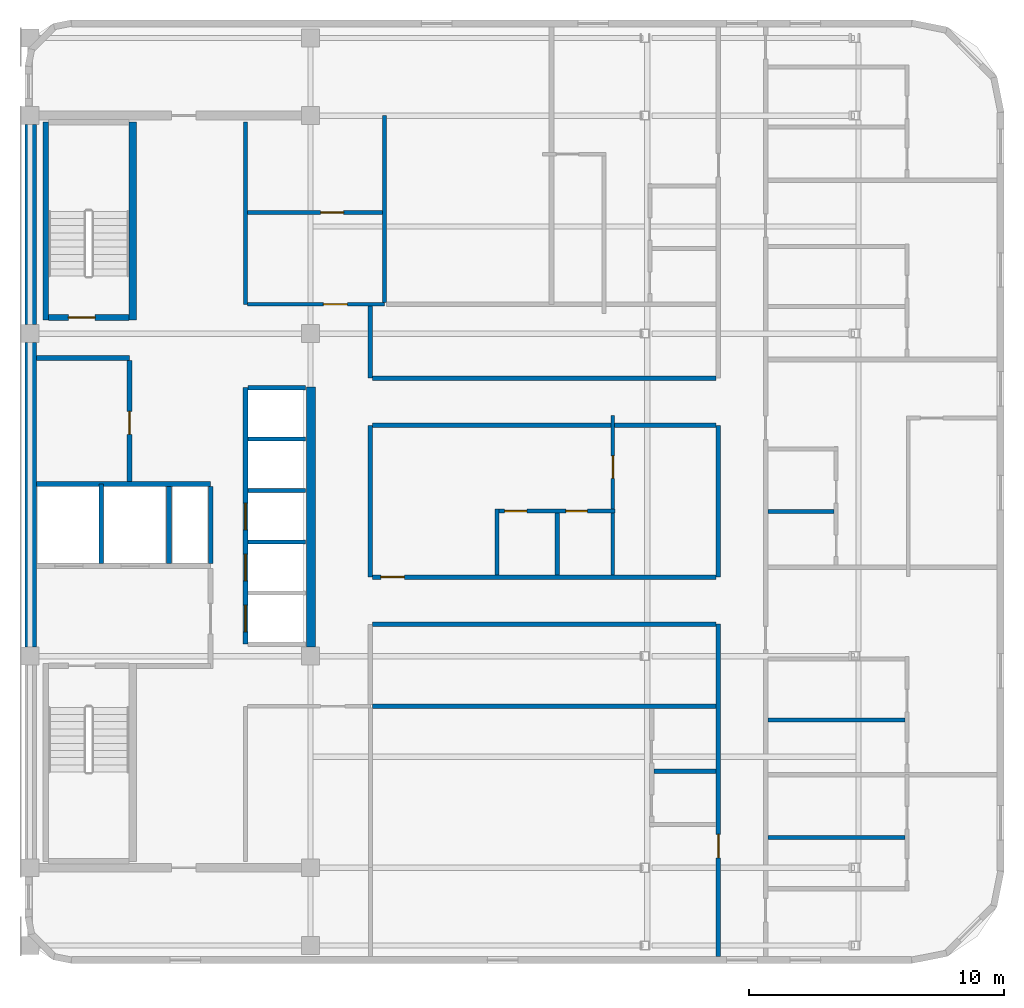
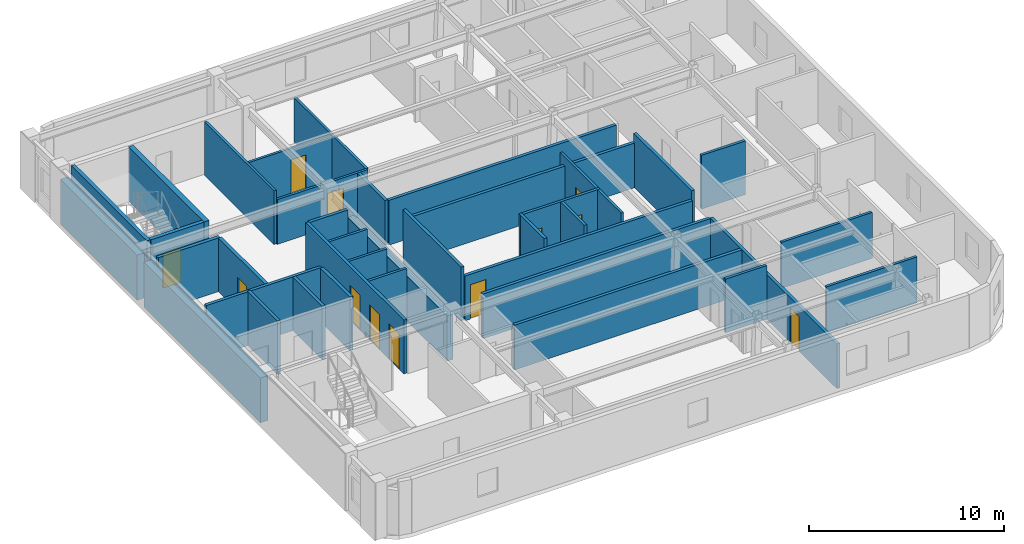
# One storey, part 3 of 7: 38 walls, 12 doors, 12 openings.
"""IFC4 building model written with IfcOpenShell, lengths in metres."""

from ifc_helpers import new_model, si_unit, direction, frame, frame_2d, origin, place, context, subcontext, project, spatial, rectangle, extrude, material, layer, layer_set, type_object, element, fill, save


model = new_model("IFC4")

# Units and contexts
model_context = context("Model", 3, precision=1e-05, world=origin(), true_north=direction((0.0, 1.0)))
body_context = subcontext(model_context, "Body", "Model", "MODEL_VIEW")
ifc_project = project(units=[si_unit("LENGTHUNIT", "METRE"), si_unit("AREAUNIT", "SQUARE_METRE"), si_unit("VOLUMEUNIT", "CUBIC_METRE"), si_unit("PLANEANGLEUNIT", "RADIAN"), si_unit("MASSUNIT", "GRAM", prefix="KILO")], contexts=[model_context])

# Site, building, storey
site_placement = place(None, origin())
site = spatial("IfcSite", under=ifc_project, at=site_placement, CompositionType="ELEMENT")
building_placement = place(site_placement, origin())
building = spatial("IfcBuilding", under=site, at=building_placement, Name="Ochreholt Gables", CompositionType="ELEMENT")
storey_placement = place(building_placement, frame((0.0, 0.0, 238.800048828125)))
storey = spatial("IfcBuildingStorey", under=building, at=storey_placement, Name="L62", CompositionType="ELEMENT", Elevation=238.800048828125)

# Walls
ifc_material_1 = material(Name="Concrete 50 MPa", Category="concrete")
ifc_layer_1 = layer(ifc_material_1, 0.35009765625, Name="Concrete 50 MPa")
ifc_layer_set_1 = layer_set([ifc_layer_1], Name="Concrete 50 MPa")
wall_type_1 = type_object("IfcWallType", Name="WALL-CSW-350", PredefinedType="SHEAR", material=ifc_layer_set_1)
wall_1_placement = place(storey_placement, frame((35.22509765625, 17.89990234375, 0.0), z_axis=(0.0, 0.0, 1.0), x_axis=(0.0, 1.0, 0.0)))
element("IfcWall", 1, at=wall_1_placement, inside=storey, type_object=wall_type_1, Name="L62 Core Central-East Shear Wall", PredefinedType="SHEAR", context=body_context, shape_type="SweptSolid", body=[
    extrude(rectangle(XDim=10.2001953125, YDim=0.35009765625, at=frame_2d((5.10009765625, 0.0))), origin(), (0.0, 0.0, 1.0), 2.821044921875),
])
ifc_layer_2 = layer(ifc_material_1, 0.449951171875, Name="Concrete 50 MPa")
ifc_layer_set_2 = layer_set([ifc_layer_2], Name="Concrete 50 MPa")
wall_type_2 = type_object("IfcWallType", Name="WALL-CSW-EXT", PredefinedType="SHEAR", material=ifc_layer_set_2)
wall_2_placement = place(storey_placement, frame((24.22509765625, 17.89990234375, 0.0), z_axis=(0.0, 0.0, 1.0), x_axis=(0.0, 1.0, 0.0)))
element("IfcWall", 2, at=wall_2_placement, inside=storey, type_object=wall_type_2, Name="L62 Core West Shear Wall WM", PredefinedType="SHEAR", context=body_context, shape_type="SweptSolid", body=[
    extrude(rectangle(XDim=11.9501953125, YDim=0.449951171875, at=frame_2d((5.97509765625, 0.0))), origin(), (0.0, 0.0, 1.0), 2.821044921875),
])
wall_3_placement = place(storey_placement, frame((24.22509765625, 30.550048828125, 0.0), z_axis=(0.0, 0.0, 1.0), x_axis=(0.0, 1.0, 0.0)))
element("IfcWall", 3, at=wall_3_placement, inside=storey, type_object=wall_type_2, Name="L62 Core West Shear Wall WN", PredefinedType="SHEAR", context=body_context, shape_type="SweptSolid", body=[
    extrude(rectangle(XDim=7.849853515625, YDim=0.449951171875, at=frame_2d((3.9248046875, 0.0))), origin(), (0.0, 0.0, 1.0), 2.821044921875),
])
ifc_material_2 = material(Name="Concrete 40 MPa", Category="concrete")
ifc_layer_3 = layer(ifc_material_2, 0.199951171875, Name="Concrete 40 MPa")
ifc_layer_set_3 = layer_set([ifc_layer_3], Name="Concrete 40 MPa")
wall_type_3 = type_object("IfcWallType", Name="WALL-INT-CF200", PredefinedType="STANDARD", material=ifc_layer_set_3)
wall_4_placement = place(storey_placement, frame((24.449951171875, 29.239990234375, 0.0), z_axis=(0.0, 0.0, 1.0), x_axis=(1.0, 0.0, 0.0)))
element("IfcWall", 4, at=wall_4_placement, inside=storey, type_object=wall_type_3, Name="L62 Interior Wall WI-SRVN-L62", PredefinedType="STANDARD", context=body_context, shape_type="SweptSolid", body=[
    extrude(rectangle(XDim=3.650146484375, YDim=0.199951171875, at=frame_2d((1.8251953125, 0.0))), origin(), (0.0, 0.0, 1.0), 3.35986328125),
])

# Wall, opening, door
wall_5_placement = place(storey_placement, frame((28.10009765625, 24.389892578125, 0.0), z_axis=(0.0, 0.0, 1.0), x_axis=(0.0, 1.0, 0.0)))
wall_5 = element("IfcWall", 5, at=wall_5_placement, inside=storey, type_object=wall_type_3, Name="L62 Interior Wall WI-SRVE-L62", PredefinedType="STANDARD", context=body_context, shape_type="SweptSolid", body=[
    extrude(rectangle(XDim=4.75, YDim=0.199951171875, at=frame_2d((2.375, 0.0))), origin(), (0.0, 0.0, 1.0), 3.35986328125),
])
opening_1_placement = place(wall_5_placement, frame((1.860107421875, 0.0, 0.0)))
opening_1 = element("IfcOpeningElement", 6, at=opening_1_placement, cuts=wall_5, Name="Opening D-SV1", PredefinedType="OPENING", context=body_context, shape_type="SweptSolid", body=[
    extrude(rectangle(XDim=0.89990234375, YDim=2.10009765625, at=frame_2d((0.449951171875, 1.050048828125))), frame((0.0, 0.10986328125, 0.0), z_axis=(0.0, -1.0, 0.0), x_axis=(1.0, 0.0, 0.0)), (0.0, 0.0, 1.0), 0.219970703125),
])
ifc_material_3 = material(Name="Hollow Metal Steel", Category="steel")
door_type_1 = type_object("IfcDoorType", Name="DR-INT-SRV900", OperationType="NOTDEFINED", PredefinedType="DOOR", material=ifc_material_3)
door_1_placement = place(opening_1_placement, origin())
door_1 = element("IfcDoor", 7, at=door_1_placement, inside=storey, type_object=door_type_1, Name="L62 Door D-SRV1-L62", OperationType="SINGLE_SWING_LEFT", OverallHeight=2.10009765625, OverallWidth=0.89990234375, PredefinedType="DOOR", context=body_context, shape_type="SweptSolid", body=[
    extrude(rectangle(XDim=0.89990234375, YDim=2.10009765625, at=frame_2d((0.449951171875, 1.050048828125))), frame((0.0, 0.02490234375, 0.0), z_axis=(0.0, -1.0, 0.0), x_axis=(1.0, 0.0, 0.0)), (0.0, 0.0, 1.0), 0.050048828125),
])
fill(opening_1, door_1)

# Walls
ifc_material_4 = material(Name="Fire-Rated Gypsum Acoustic Partition", Category="gypsum")
ifc_layer_4 = layer(ifc_material_4, 0.179931640625, Name="Fire-Rated Gypsum Acoustic Partition")
ifc_layer_set_4 = layer_set([ifc_layer_4], Name="Fire-Rated Gypsum Acoustic Partition")
wall_type_4 = type_object("IfcWallType", Name="WALL-INT-CR180", PredefinedType="STANDARD", material=ifc_layer_set_4)
wall_6_placement = place(storey_placement, frame((37.550048828125, 20.64990234375, 0.0), z_axis=(0.0, 0.0, 1.0), x_axis=(0.0, 1.0, 0.0)))
element("IfcWall", 8, at=wall_6_placement, inside=storey, type_object=wall_type_4, Name="L62 Interior Wall WI-C3CE2-L62", PredefinedType="STANDARD", context=body_context, shape_type="SweptSolid", body=[
    extrude(rectangle(XDim=5.9501953125, YDim=0.179931640625, at=frame_2d((2.97509765625, 0.0))), origin(), (0.0, 0.0, 1.0), 3.35986328125),
])
wall_7_placement = place(storey_placement, frame((37.550048828125, 28.449951171875, 0.0), z_axis=(0.0, 0.0, 1.0), x_axis=(0.0, 1.0, 0.0)))
element("IfcWall", 9, at=wall_7_placement, inside=storey, type_object=wall_type_4, Name="L62 Interior Wall WI-C3CE4-L62", PredefinedType="STANDARD", context=body_context, shape_type="SweptSolid", body=[
    extrude(rectangle(XDim=2.82763671875, YDim=0.179931640625, at=frame_2d((1.413818359375, 0.0))), origin(), (0.0, 0.0, 1.0), 2.802978515625),
])

# Wall, opening, door
wall_8_placement = place(storey_placement, frame((51.199951171875, 5.77001953125, 0.0), z_axis=(0.0, 0.0, 1.0), x_axis=(0.0, 1.0, 0.0)))
wall_8 = element("IfcWall", 10, at=wall_8_placement, inside=storey, type_object=wall_type_4, Name="L62 Interior Wall WI-C3GW0-L62", PredefinedType="STANDARD", context=body_context, shape_type="SweptSolid", body=[
    extrude(rectangle(XDim=13.030029296875, YDim=0.179931640625, at=frame_2d((6.51513671875, 0.0))), origin(), (0.0, 0.0, 1.0), 2.802978515625),
])
opening_2_placement = place(wall_8_placement, frame((3.8701171875, 0.0, 0.0)))
opening_2 = element("IfcOpeningElement", 11, at=opening_2_placement, cuts=wall_8, Name="Opening D-UN1", PredefinedType="OPENING", context=body_context, shape_type="SweptSolid", body=[
    extrude(rectangle(XDim=0.919921875, YDim=2.14990234375, at=frame_2d((0.4599609375, 1.074951171875))), frame((0.0, 0.099853515625, 0.0), z_axis=(0.0, -1.0, 0.0), x_axis=(1.0, 0.0, 0.0)), (0.0, 0.0, 1.0), 0.199951171875),
])
ifc_material_5 = material(Name="Engineered Oak Timber", Category="wood")
door_type_2 = type_object("IfcDoorType", Name="DR-INT-UNT920", OperationType="NOTDEFINED", PredefinedType="DOOR", material=ifc_material_5)
door_2_placement = place(opening_2_placement, origin())
door_2 = element("IfcDoor", 12, at=door_2_placement, inside=storey, type_object=door_type_2, Name="L62 Door D-U-L62SM1-ENT", OperationType="SINGLE_SWING_LEFT", OverallHeight=2.14990234375, OverallWidth=0.919921875, PredefinedType="DOOR", context=body_context, shape_type="SweptSolid", body=[
    extrude(rectangle(XDim=0.919921875, YDim=2.14990234375, at=frame_2d((0.4599609375, 1.074951171875))), frame((0.0, 0.02490234375, 0.0), z_axis=(0.0, -1.0, 0.0), x_axis=(1.0, 0.0, 0.0)), (0.0, 0.0, 1.0), 0.050048828125),
])
fill(opening_2, door_2)

# Walls
wall_9_placement = place(storey_placement, frame((51.199951171875, 20.64990234375, 0.0), z_axis=(0.0, 0.0, 1.0), x_axis=(0.0, 1.0, 0.0)))
element("IfcWall", 13, at=wall_9_placement, inside=storey, type_object=wall_type_4, Name="L62 Interior Wall WI-C3GW2-L62", PredefinedType="STANDARD", context=body_context, shape_type="SweptSolid", body=[
    extrude(rectangle(XDim=5.9501953125, YDim=0.179931640625, at=frame_2d((2.97509765625, 0.0))), origin(), (0.0, 0.0, 1.0), 3.35986328125),
])
wall_10_placement = place(storey_placement, frame((37.639892578125, 18.800048828125, 0.0), z_axis=(0.0, 0.0, 1.0), x_axis=(1.0, 0.0, 0.0)))
element("IfcWall", 14, at=wall_10_placement, inside=storey, type_object=wall_type_4, Name="L62 Interior Wall WI-C3BRS1-L62", PredefinedType="STANDARD", context=body_context, shape_type="SweptSolid", body=[
    extrude(rectangle(XDim=13.47021484375, YDim=0.179931640625, at=frame_2d((6.735107421875, 0.0))), origin(), (0.0, 0.0, 1.0), 2.802978515625),
])

# Wall, opening, door
wall_11_placement = place(storey_placement, frame((37.639892578125, 20.64990234375, 0.0), z_axis=(0.0, 0.0, 1.0), x_axis=(1.0, 0.0, 0.0)))
wall_11 = element("IfcWall", 15, at=wall_11_placement, inside=storey, type_object=wall_type_4, Name="L62 Interior Wall WI-C3BRN1-L62", PredefinedType="STANDARD", context=body_context, shape_type="SweptSolid", body=[
    extrude(rectangle(XDim=13.47021484375, YDim=0.179931640625, at=frame_2d((6.735107421875, 0.0))), origin(), (0.0, 0.0, 1.0), 2.802978515625),
])
opening_3_placement = place(wall_11_placement, frame((0.320068359375, 0.0, 0.0)))
opening_3 = element("IfcOpeningElement", 16, at=opening_3_placement, cuts=wall_11, Name="Opening D-UN1", PredefinedType="OPENING", context=body_context, shape_type="SweptSolid", body=[
    extrude(rectangle(XDim=0.919921875, YDim=2.14990234375, at=frame_2d((0.4599609375, 1.074951171875))), frame((0.0, 0.099853515625, 0.0), z_axis=(0.0, -1.0, 0.0), x_axis=(1.0, 0.0, 0.0)), (0.0, 0.0, 1.0), 0.199951171875),
])
door_3_placement = place(opening_3_placement, origin())
door_3 = element("IfcDoor", 17, at=door_3_placement, inside=storey, type_object=door_type_2, Name="L62 Door D-U-L62MC1-ENT", OperationType="SINGLE_SWING_LEFT", OverallHeight=2.14990234375, OverallWidth=0.919921875, PredefinedType="DOOR", context=body_context, shape_type="SweptSolid", body=[
    extrude(rectangle(XDim=0.919921875, YDim=2.14990234375, at=frame_2d((0.4599609375, 1.074951171875))), frame((0.0, 0.02490234375, 0.0), z_axis=(0.0, -1.0, 0.0), x_axis=(1.0, 0.0, 0.0)), (0.0, 0.0, 1.0), 0.050048828125),
])
fill(opening_3, door_3)

# Walls
for number, where, z_axis, x_axis, name in (
    (18, (37.639892578125, 26.60009765625, 0.0), (0.0, 0.0, 1.0), (1.0, 0.0, 0.0), "L62 Interior Wall WI-C3BRS2-L62"),
    (19, (37.639892578125, 28.449951171875, 0.0), (0.0, 0.0, 1.0), (1.0, 0.0, 0.0), "L62 Interior Wall WI-C3BRN2-L62"),
):
    element("IfcWall", number, at=place(storey_placement, frame(where, z_axis=z_axis, x_axis=x_axis)), inside=storey, type_object=wall_type_4, Name=name, PredefinedType="STANDARD", context=body_context, shape_type="SweptSolid", body=[
        extrude(rectangle(XDim=13.47021484375, YDim=0.179931640625, at=frame_2d((6.735107421875, 0.0))), origin(), (0.0, 0.0, 1.0), 2.802978515625),
    ])
ifc_material_6 = material(Name="Double-Stud Acoustic Demising Wall", Category="gypsum")
ifc_layer_5 = layer(ifc_material_6, 0.18505859375, Name="Double-Stud Acoustic Demising Wall")
ifc_layer_set_5 = layer_set([ifc_layer_5], Name="Double-Stud Acoustic Demising Wall")
wall_type_5 = type_object("IfcWallType", Name="WALL-INT-DM185", PredefinedType="PARTITIONING", material=ifc_layer_set_5)
wall_12_placement = place(storey_placement, frame((37.639892578125, 15.580078125, 0.0), z_axis=(0.0, 0.0, 1.0), x_axis=(1.0, 0.0, 0.0)))
element("IfcWall", 20, at=wall_12_placement, inside=storey, type_object=wall_type_5, Name="L62 Interior Wall WI-C3SMY-L62", PredefinedType="PARTITIONING", context=body_context, shape_type="SweptSolid", body=[
    extrude(rectangle(XDim=13.47021484375, YDim=0.18505859375, at=frame_2d((6.735107421875, 0.0))), origin(), (0.0, 0.0, 1.0), 2.802978515625),
])
ifc_material_7 = material(Name="Moisture-Resistant Plumbing Chase Wall", Category="gypsum")
ifc_layer_6 = layer(ifc_material_7, 0.159912109375, Name="Moisture-Resistant Plumbing Chase Wall")
ifc_layer_set_6 = layer_set([ifc_layer_6], Name="Moisture-Resistant Plumbing Chase Wall")
wall_type_6 = type_object("IfcWallType", Name="WALL-INT-PL160", PredefinedType="PLUMBINGWALL", material=ifc_layer_set_6)
for number, where, z_axis, x_axis, name in (
    (21, (53.139892578125, 10.443115234375, 0.0), (0.0, 0.0, 1.0), (1.0, 0.0, 0.0), "L62 Interior Wall WU-L62E1-WM"),
    (22, (53.139892578125, 15.037109375, 0.0), (0.0, 0.0, 1.0), (1.0, 0.0, 0.0), "L62 Interior Wall WU-L62E2-WM"),
):
    element("IfcWall", number, at=place(storey_placement, frame(where, z_axis=z_axis, x_axis=x_axis)), inside=storey, type_object=wall_type_6, Name=name, PredefinedType="PLUMBINGWALL", context=body_context, shape_type="SweptSolid", body=[
        extrude(rectangle(XDim=5.3701171875, YDim=0.159912109375, at=frame_2d((2.68505859375, 0.0))), origin(), (0.0, 0.0, 1.0), 2.87890625),
    ])
wall_13_placement = place(storey_placement, frame((53.139892578125, 23.222900390625, 0.0), z_axis=(0.0, 0.0, 1.0), x_axis=(1.0, 0.0, 0.0)))
element("IfcWall", 23, at=wall_13_placement, inside=storey, type_object=wall_type_6, Name="L62 Interior Wall WU-L62E3-WM", PredefinedType="PLUMBINGWALL", context=body_context, shape_type="SweptSolid", body=[
    extrude(rectangle(XDim=2.59814453125, YDim=0.159912109375, at=frame_2d((1.299072265625, 0.0))), origin(), (0.0, 0.0, 1.0), 3.35986328125),
])
wall_14_placement = place(storey_placement, frame((48.6640625, 13.032958984375, 0.0), z_axis=(0.0, 0.0, 1.0), x_axis=(1.0, 0.0, 0.0)))
element("IfcWall", 24, at=wall_14_placement, inside=storey, type_object=wall_type_6, Name="L62 Interior Wall WU-L62SM1-WM", PredefinedType="PLUMBINGWALL", context=body_context, shape_type="SweptSolid", body=[
    extrude(rectangle(XDim=2.446044921875, YDim=0.159912109375, at=frame_2d((1.22314453125, 0.0))), origin(), (0.0, 0.0, 1.0), 3.35986328125),
])

# Wall, openings, doors
wall_15_placement = place(storey_placement, frame((42.429931640625, 23.237548828125, 0.0), z_axis=(0.0, 0.0, 1.0), x_axis=(1.0, 0.0, 0.0)))
wall_15 = element("IfcWall", 25, at=wall_15_placement, inside=storey, type_object=wall_type_6, Name="L62 Interior Wall WU-L62MC1-WY", PredefinedType="PLUMBINGWALL", context=body_context, shape_type="SweptSolid", body=[
    extrude(rectangle(XDim=4.7099609375, YDim=0.159912109375, at=frame_2d((2.35498046875, 0.0))), origin(), (0.0, 0.0, 1.0), 3.35986328125),
])
opening_4_placement = place(wall_15_placement, frame((0.3798828125, 0.0, 0.0)))
opening_4 = element("IfcOpeningElement", 26, at=opening_4_placement, cuts=wall_15, Name="Opening D-GN2", PredefinedType="OPENING", context=body_context, shape_type="SweptSolid", body=[
    extrude(rectangle(XDim=0.8798828125, YDim=2.1201171875, at=frame_2d((0.43994140625, 1.06005859375))), frame((0.0, 0.08984375, 0.0), z_axis=(0.0, -1.0, 0.0), x_axis=(1.0, 0.0, 0.0)), (0.0, 0.0, 1.0), 0.179931640625),
])
opening_5_placement = place(wall_15_placement, frame((2.785888671875, 0.0, 0.0)))
opening_5 = element("IfcOpeningElement", 27, at=opening_5_placement, cuts=wall_15, Name="Opening D-BT2", PredefinedType="OPENING", context=body_context, shape_type="SweptSolid", body=[
    extrude(rectangle(XDim=0.840087890625, YDim=2.1201171875, at=frame_2d((0.419921875, 1.06005859375))), frame((0.0, 0.08984375, 0.0), z_axis=(0.0, -1.0, 0.0), x_axis=(1.0, 0.0, 0.0)), (0.0, 0.0, 1.0), 0.179931640625),
])
door_type_3 = type_object("IfcDoorType", Name="DR-INT-BTH840", OperationType="NOTDEFINED", PredefinedType="DOOR", material=ifc_material_5)
door_4_placement = place(opening_5_placement, origin())
door_4 = element("IfcDoor", 28, at=door_4_placement, inside=storey, type_object=door_type_3, Name="L62 Door D-U-L62MC1-BTH", OperationType="SINGLE_SWING_LEFT", OverallHeight=2.1201171875, OverallWidth=0.840087890625, PredefinedType="DOOR", context=body_context, shape_type="SweptSolid", body=[
    extrude(rectangle(XDim=0.840087890625, YDim=2.1201171875, at=frame_2d((0.419921875, 1.06005859375))), frame((0.0, 0.02490234375, 0.0), z_axis=(0.0, -1.0, 0.0), x_axis=(1.0, 0.0, 0.0)), (0.0, 0.0, 1.0), 0.050048828125),
])
fill(opening_5, door_4)
door_type_4 = type_object("IfcDoorType", Name="DR-INT-GEN880", OperationType="NOTDEFINED", PredefinedType="DOOR", material=ifc_material_5)
door_5_placement = place(opening_4_placement, origin())
door_5 = element("IfcDoor", 29, at=door_5_placement, inside=storey, type_object=door_type_4, Name="L62 Door D-U-L62MC1-KIT", OperationType="SINGLE_SWING_RIGHT", OverallHeight=2.1201171875, OverallWidth=0.8798828125, PredefinedType="DOOR", context=body_context, shape_type="SweptSolid", body=[
    extrude(rectangle(XDim=0.8798828125, YDim=2.1201171875, at=frame_2d((0.43994140625, 1.06005859375))), frame((0.0, 0.02490234375, 0.0), z_axis=(0.0, -1.0, 0.0), x_axis=(1.0, 0.0, 0.0)), (0.0, 0.0, 1.0), 0.050048828125),
])
fill(opening_4, door_5)

# Walls
wall_16_placement = place(storey_placement, frame((42.510009765625, 20.739990234375, 0.0), z_axis=(0.0, 0.0, 1.0), x_axis=(0.0, 1.0, 0.0)))
element("IfcWall", 30, at=wall_16_placement, inside=storey, type_object=wall_type_6, Name="L62 Interior Wall WU-L62MC1-FY", PredefinedType="PLUMBINGWALL", context=body_context, shape_type="SweptSolid", body=[
    extrude(rectangle(XDim=2.577392578125, YDim=0.159912109375, at=frame_2d((1.28857421875, 0.0))), origin(), (0.0, 0.0, 1.0), 3.35986328125),
])
wall_17_placement = place(storey_placement, frame((44.8759765625, 20.739990234375, 0.0), z_axis=(0.0, 0.0, 1.0), x_axis=(0.0, 1.0, 0.0)))
element("IfcWall", 31, at=wall_17_placement, inside=storey, type_object=wall_type_6, Name="L62 Interior Wall WU-L62MC1-WK", PredefinedType="PLUMBINGWALL", context=body_context, shape_type="SweptSolid", body=[
    extrude(rectangle(XDim=2.41748046875, YDim=0.159912109375, at=frame_2d((1.208740234375, 0.0))), origin(), (0.0, 0.0, 1.0), 3.35986328125),
])
ifc_material_8 = material(Name="Lightweight Stud Partition", Category="gypsum")
ifc_layer_7 = layer(ifc_material_8, 0.14501953125, Name="Lightweight Stud Partition")
ifc_layer_set_7 = layer_set([ifc_layer_7], Name="Lightweight Stud Partition")
wall_type_7 = type_object("IfcWallType", Name="WALL-INT-PT145", PredefinedType="PARTITIONING", material=ifc_layer_set_7)
wall_18_placement = place(storey_placement, frame((32.64990234375, 31.35009765625, 0.0), z_axis=(0.0, 0.0, 1.0), x_axis=(0.0, 1.0, 0.0)))
element("IfcWall", 32, at=wall_18_placement, inside=storey, type_object=wall_type_7, Name="L62 Interior Wall WI-RCM-W-L62", PredefinedType="PARTITIONING", context=body_context, shape_type="SweptSolid", body=[
    extrude(rectangle(XDim=7.14990234375, YDim=0.14501953125, at=frame_2d((3.574951171875, 0.0))), origin(), (0.0, 0.0, 1.0), 3.35986328125),
])

# Wall, opening, door
wall_19_placement = place(storey_placement, frame((32.722412109375, 31.35009765625, 0.0), z_axis=(0.0, 0.0, 1.0), x_axis=(1.0, 0.0, 0.0)))
wall_19 = element("IfcWall", 33, at=wall_19_placement, inside=storey, type_object=wall_type_7, Name="L62 Interior Wall WI-RCM-S-L62", PredefinedType="PARTITIONING", context=body_context, shape_type="SweptSolid", body=[
    extrude(rectangle(XDim=5.377685546875, YDim=0.14501953125, at=frame_2d((2.68896484375, 0.0))), origin(), (0.0, 0.0, 1.0), 2.802978515625),
])
opening_6_placement = place(wall_19_placement, frame((2.9775390625, 0.0, 0.0)))
opening_6 = element("IfcOpeningElement", 34, at=opening_6_placement, cuts=wall_19, Name="Opening D-GN1", PredefinedType="OPENING", context=body_context, shape_type="SweptSolid", body=[
    extrude(rectangle(XDim=0.949951171875, YDim=2.14990234375, at=frame_2d((0.47509765625, 1.074951171875))), frame((0.0, 0.08251953125, 0.0), z_axis=(0.0, -1.0, 0.0), x_axis=(1.0, 0.0, 0.0)), (0.0, 0.0, 1.0), 0.1650390625),
])
door_type_5 = type_object("IfcDoorType", Name="DR-INT-GEN950", OperationType="NOTDEFINED", PredefinedType="DOOR", material=ifc_material_5)
door_6_placement = place(opening_6_placement, origin())
door_6 = element("IfcDoor", 35, at=door_6_placement, inside=storey, type_object=door_type_5, Name="L62 Door D-RCM-L62", OperationType="SINGLE_SWING_RIGHT", OverallHeight=2.14990234375, OverallWidth=0.949951171875, PredefinedType="DOOR", context=body_context, shape_type="SweptSolid", body=[
    extrude(rectangle(XDim=0.949951171875, YDim=2.14990234375, at=frame_2d((0.47509765625, 1.074951171875))), frame((0.0, 0.02490234375, 0.0), z_axis=(0.0, -1.0, 0.0), x_axis=(1.0, 0.0, 0.0)), (0.0, 0.0, 1.0), 0.050048828125),
])
fill(opening_6, door_6)

# Wall
wall_20_placement = place(storey_placement, frame((38.10009765625, 31.422607421875, 0.0), z_axis=(0.0, 0.0, 1.0), x_axis=(0.0, 1.0, 0.0)))
element("IfcWall", 36, at=wall_20_placement, inside=storey, type_object=wall_type_7, Name="L62 Interior Wall WI-RCM-E-L62", PredefinedType="PARTITIONING", context=body_context, shape_type="SweptSolid", body=[
    extrude(rectangle(XDim=7.327392578125, YDim=0.14501953125, at=frame_2d((3.66357421875, 0.0))), origin(), (0.0, 0.0, 1.0), 2.802978515625),
])

# Wall, opening, door
wall_21_placement = place(storey_placement, frame((32.722412109375, 34.949951171875, 0.0), z_axis=(0.0, 0.0, 1.0), x_axis=(1.0, 0.0, 0.0)))
wall_21 = element("IfcWall", 37, at=wall_21_placement, inside=storey, type_object=wall_type_7, Name="L62 Interior Wall WI-RCM-DV-L62", PredefinedType="PARTITIONING", context=body_context, shape_type="SweptSolid", body=[
    extrude(rectangle(XDim=5.30517578125, YDim=0.14501953125, at=frame_2d((2.652587890625, 0.0))), origin(), (0.0, 0.0, 1.0), 2.802978515625),
])
opening_7_placement = place(wall_21_placement, frame((2.87744140625, 0.0, 0.0)))
opening_7 = element("IfcOpeningElement", 38, at=opening_7_placement, cuts=wall_21, Name="Opening D-SV1", PredefinedType="OPENING", context=body_context, shape_type="SweptSolid", body=[
    extrude(rectangle(XDim=0.89990234375, YDim=2.10009765625, at=frame_2d((0.449951171875, 1.050048828125))), frame((0.0, 0.08251953125, 0.0), z_axis=(0.0, -1.0, 0.0), x_axis=(1.0, 0.0, 0.0)), (0.0, 0.0, 1.0), 0.1650390625),
])
door_7_placement = place(opening_7_placement, origin())
door_7 = element("IfcDoor", 39, at=door_7_placement, inside=storey, type_object=door_type_1, Name="L62 Door D-RCMI-L62", OperationType="SINGLE_SWING_LEFT", OverallHeight=2.10009765625, OverallWidth=0.89990234375, PredefinedType="DOOR", context=body_context, shape_type="SweptSolid", body=[
    extrude(rectangle(XDim=0.89990234375, YDim=2.10009765625, at=frame_2d((0.449951171875, 1.050048828125))), frame((0.0, 0.02490234375, 0.0), z_axis=(0.0, -1.0, 0.0), x_axis=(1.0, 0.0, 0.0)), (0.0, 0.0, 1.0), 0.050048828125),
])
fill(opening_7, door_7)

wall_22_placement = place(storey_placement, frame((47.06005859375, 20.739990234375, 0.0), z_axis=(0.0, 0.0, 1.0), x_axis=(0.0, 1.0, 0.0)))
wall_22 = element("IfcWall", 40, at=wall_22_placement, inside=storey, type_object=wall_type_7, Name="L62 Interior Wall WU-L62MC1-MNX", PredefinedType="PARTITIONING", context=body_context, shape_type="SweptSolid", body=[
    extrude(rectangle(XDim=6.25, YDim=0.14501953125, at=frame_2d((3.125, 0.0))), origin(), (0.0, 0.0, 1.0), 3.35986328125),
])
opening_8_placement = place(wall_22_placement, frame((3.78369140625, 0.0, 0.0)))
opening_8 = element("IfcOpeningElement", 41, at=opening_8_placement, cuts=wall_22, Name="Opening D-BD2", PredefinedType="OPENING", context=body_context, shape_type="SweptSolid", body=[
    extrude(rectangle(XDim=0.8798828125, YDim=2.139892578125, at=frame_2d((0.43994140625, 1.06982421875))), frame((0.0, 0.08251953125, 0.0), z_axis=(0.0, -1.0, 0.0), x_axis=(1.0, 0.0, 0.0)), (0.0, 0.0, 1.0), 0.1650390625),
])
door_type_6 = type_object("IfcDoorType", Name="DR-INT-BED880", OperationType="NOTDEFINED", PredefinedType="DOOR", material=ifc_material_5)
door_8_placement = place(opening_8_placement, origin())
door_8 = element("IfcDoor", 42, at=door_8_placement, inside=storey, type_object=door_type_6, Name="L62 Door D-U-L62MC1-BD1", OperationType="SINGLE_SWING_RIGHT", OverallHeight=2.139892578125, OverallWidth=0.8798828125, PredefinedType="DOOR", context=body_context, shape_type="SweptSolid", body=[
    extrude(rectangle(XDim=0.8798828125, YDim=2.139892578125, at=frame_2d((0.43994140625, 1.06982421875))), frame((0.0, 0.02490234375, 0.0), z_axis=(0.0, -1.0, 0.0), x_axis=(1.0, 0.0, 0.0)), (0.0, 0.0, 1.0), 0.050048828125),
])
fill(opening_8, door_8)

# Walls
ifc_material_9 = material(Name="Gypsum Shaftliner and Steel Stud", Category="steel")
ifc_layer_8 = layer(ifc_material_9, 0.14990234375, Name="Gypsum Shaftliner and Steel Stud")
ifc_layer_set_8 = layer_set([ifc_layer_8], Name="Gypsum Shaftliner and Steel Stud")
wall_type_8 = type_object("IfcWallType", Name="WALL-INT-SH150", PredefinedType="STANDARD", material=ifc_layer_set_8)
for number, where, z_axis, x_axis, name in (
    (43, (32.739990234375, 22.02001953125, 0.0), (0.0, 0.0, 1.0), (1.0, 0.0, 0.0), "L62 Interior Wall WI-LFHE-DH2-L62"),
    (44, (32.739990234375, 24.050048828125, 0.0), (0.0, 0.0, 1.0), (1.0, 0.0, 0.0), "L62 Interior Wall WI-LFHE-DHE-L62"),
    (45, (32.739990234375, 26.070068359375, 0.0), (0.0, 0.0, 1.0), (1.0, 0.0, 0.0), "L62 Interior Wall WI-LFHE-DEX1-L62"),
):
    element("IfcWall", number, at=place(storey_placement, frame(where, z_axis=z_axis, x_axis=x_axis)), inside=storey, type_object=wall_type_8, Name=name, PredefinedType="STANDARD", context=body_context, shape_type="SweptSolid", body=[
        extrude(rectangle(XDim=2.260009765625, YDim=0.14990234375, at=frame_2d((1.1298828125, 0.0))), origin(), (0.0, 0.0, 1.0), 3.35986328125),
    ])
ifc_layer_9 = layer(ifc_material_9, 0.179931640625, Name="Gypsum Shaftliner and Steel Stud")
ifc_layer_set_9 = layer_set([ifc_layer_9], Name="Gypsum Shaftliner and Steel Stud")
wall_type_9 = type_object("IfcWallType", Name="WALL-INT-SH180", PredefinedType="STANDARD", material=ifc_layer_set_9)
wall_23_placement = place(storey_placement, frame((27.0, 21.18994140625, 0.0), z_axis=(0.0, 0.0, 1.0), x_axis=(0.0, 1.0, 0.0)))
element("IfcWall", 46, at=wall_23_placement, inside=storey, type_object=wall_type_9, Name="L62 Interior Wall WI-FFDIV-L62", PredefinedType="STANDARD", context=body_context, shape_type="SweptSolid", body=[
    extrude(rectangle(XDim=3.110107421875, YDim=0.179931640625, at=frame_2d((1.55517578125, 0.0))), origin(), (0.0, 0.0, 1.0), 3.35986328125),
])
wall_24_placement = place(storey_placement, frame((24.449951171875, 24.300048828125, 0.0), z_axis=(0.0, 0.0, 1.0), x_axis=(1.0, 0.0, 0.0)))
element("IfcWall", 47, at=wall_24_placement, inside=storey, type_object=wall_type_9, Name="L62 Interior Wall WI-FFBK-L62", PredefinedType="STANDARD", context=body_context, shape_type="SweptSolid", body=[
    extrude(rectangle(XDim=6.830078125, YDim=0.179931640625, at=frame_2d((3.4150390625, 0.0))), origin(), (0.0, 0.0, 1.0), 3.35986328125),
])
for number, where, z_axis, x_axis, name in (
    (48, (29.64990234375, 21.18994140625, 0.0), (0.0, 0.0, 1.0), (0.0, 1.0, 0.0), "L62 Interior Wall WI-FFSH-L62"),
    (49, (31.280029296875, 21.18994140625, 0.0), (0.0, 0.0, 1.0), (0.0, 1.0, 0.0), "L62 Interior Wall WI-RSE-L62"),
):
    element("IfcWall", number, at=place(storey_placement, frame(where, z_axis=z_axis, x_axis=x_axis)), inside=storey, type_object=wall_type_9, Name=name, PredefinedType="STANDARD", context=body_context, shape_type="SweptSolid", body=[
        extrude(rectangle(XDim=3.02001953125, YDim=0.179931640625, at=frame_2d((1.510009765625, 0.0))), origin(), (0.0, 0.0, 1.0), 3.35986328125),
    ])

# Wall, openings, doors
wall_25_placement = place(storey_placement, frame((32.64990234375, 18.02001953125, 0.0), z_axis=(0.0, 0.0, 1.0), x_axis=(0.0, 1.0, 0.0)))
wall_25 = element("IfcWall", 50, at=wall_25_placement, inside=storey, type_object=wall_type_9, Name="L62 Interior Wall WI-LFHE-FR-L62", PredefinedType="STANDARD", context=body_context, shape_type="SweptSolid", body=[
    extrude(rectangle(XDim=10.06005859375, YDim=0.179931640625, at=frame_2d((5.030029296875, 0.0))), origin(), (0.0, 0.0, 1.0), 3.35986328125),
])
opening_9_placement = place(wall_25_placement, frame((0.47998046875, 0.0, 0.0)))
opening_9 = element("IfcOpeningElement", 51, at=opening_9_placement, cuts=wall_25, Name="Opening LD-PX", PredefinedType="OPENING", context=body_context, shape_type="SweptSolid", body=[
    extrude(rectangle(XDim=1.050048828125, YDim=2.199951171875, at=frame_2d((0.52490234375, 1.10009765625))), frame((0.0, 0.099853515625, 0.0), z_axis=(0.0, -1.0, 0.0), x_axis=(1.0, 0.0, 0.0)), (0.0, 0.0, 1.0), 0.199951171875),
])
opening_10_placement = place(wall_25_placement, frame((2.47998046875, 0.0, 0.0)))
opening_10 = element("IfcOpeningElement", 52, at=opening_10_placement, cuts=wall_25, Name="Opening LD-PX", PredefinedType="OPENING", context=body_context, shape_type="SweptSolid", body=[
    extrude(rectangle(XDim=1.050048828125, YDim=2.199951171875, at=frame_2d((0.52490234375, 1.10009765625))), frame((0.0, 0.099853515625, 0.0), z_axis=(0.0, -1.0, 0.0), x_axis=(1.0, 0.0, 0.0)), (0.0, 0.0, 1.0), 0.199951171875),
])
opening_11_placement = place(wall_25_placement, frame((4.47998046875, 0.0, 0.0)))
opening_11 = element("IfcOpeningElement", 53, at=opening_11_placement, cuts=wall_25, Name="Opening LD-PX", PredefinedType="OPENING", context=body_context, shape_type="SweptSolid", body=[
    extrude(rectangle(XDim=1.050048828125, YDim=2.199951171875, at=frame_2d((0.52490234375, 1.10009765625))), frame((0.0, 0.099853515625, 0.0), z_axis=(0.0, -1.0, 0.0), x_axis=(1.0, 0.0, 0.0)), (0.0, 0.0, 1.0), 0.199951171875),
])
ifc_material_10 = material(Name="Stainless Steel", Category="steel")
door_type_7 = type_object("IfcDoorType", Name="DR-LFT-PX1050", OperationType="NOTDEFINED", PredefinedType="DOOR", material=ifc_material_10)
door_9_placement = place(opening_9_placement, origin())
door_9 = element("IfcDoor", 54, at=door_9_placement, inside=storey, type_object=door_type_7, Name="L62 Door LD-LF-H1-L62", OperationType="SLIDING_TO_LEFT", OverallHeight=2.199951171875, OverallWidth=1.050048828125, PredefinedType="DOOR", context=body_context, shape_type="SweptSolid", body=[
    extrude(rectangle(XDim=1.050048828125, YDim=2.199951171875, at=frame_2d((0.52490234375, 1.10009765625))), frame((0.0, 0.02490234375, 0.0), z_axis=(0.0, -1.0, 0.0), x_axis=(1.0, 0.0, 0.0)), (0.0, 0.0, 1.0), 0.050048828125),
])
fill(opening_9, door_9)
door_10_placement = place(opening_10_placement, origin())
door_10 = element("IfcDoor", 55, at=door_10_placement, inside=storey, type_object=door_type_7, Name="L62 Door LD-LF-H2-L62", OperationType="SLIDING_TO_LEFT", OverallHeight=2.199951171875, OverallWidth=1.050048828125, PredefinedType="DOOR", context=body_context, shape_type="SweptSolid", body=[
    extrude(rectangle(XDim=1.050048828125, YDim=2.199951171875, at=frame_2d((0.52490234375, 1.10009765625))), frame((0.0, 0.02490234375, 0.0), z_axis=(0.0, -1.0, 0.0), x_axis=(1.0, 0.0, 0.0)), (0.0, 0.0, 1.0), 0.050048828125),
])
fill(opening_10, door_10)
door_11_placement = place(opening_11_placement, origin())
door_11 = element("IfcDoor", 56, at=door_11_placement, inside=storey, type_object=door_type_7, Name="L62 Door LD-LF-H3-L62", OperationType="SLIDING_TO_LEFT", OverallHeight=2.199951171875, OverallWidth=1.050048828125, PredefinedType="DOOR", context=body_context, shape_type="SweptSolid", body=[
    extrude(rectangle(XDim=1.050048828125, YDim=2.199951171875, at=frame_2d((0.52490234375, 1.10009765625))), frame((0.0, 0.02490234375, 0.0), z_axis=(0.0, -1.0, 0.0), x_axis=(1.0, 0.0, 0.0)), (0.0, 0.0, 1.0), 0.050048828125),
])
fill(opening_11, door_11)

# Walls
wall_26_placement = place(storey_placement, frame((32.739990234375, 28.080078125, 0.0), z_axis=(0.0, 0.0, 1.0), x_axis=(1.0, 0.0, 0.0)))
element("IfcWall", 57, at=wall_26_placement, inside=storey, type_object=wall_type_9, Name="L62 Interior Wall WI-LFHE-N-L62", PredefinedType="STANDARD", context=body_context, shape_type="SweptSolid", body=[
    extrude(rectangle(XDim=2.260009765625, YDim=0.179931640625, at=frame_2d((1.1298828125, 0.0))), origin(), (0.0, 0.0, 1.0), 3.35986328125),
])
ifc_material_11 = material(Name="Concrete 60 MPa", Category="concrete")
ifc_layer_10 = layer(ifc_material_11, 0.300048828125, Name="Concrete 60 MPa")
ifc_layer_set_10 = layer_set([ifc_layer_10], Name="Concrete 60 MPa")
wall_type_10 = type_object("IfcWallType", Name="WALL-SPN-300", PredefinedType="SHEAR", material=ifc_layer_set_10)
wall_27_placement = place(storey_placement, frame((28.22998046875, 30.739990234375, 0.0), z_axis=(0.0, 0.0, 1.0), x_axis=(0.0, 1.0, 0.0)))
element("IfcWall", 58, at=wall_27_placement, inside=storey, type_object=wall_type_10, Name="L62 Core North Spine Shear Wall", PredefinedType="SHEAR", context=body_context, shape_type="SweptSolid", body=[
    extrude(rectangle(XDim=7.760009765625, YDim=0.300048828125, at=frame_2d((3.8798828125, 0.0))), origin(), (0.0, 0.0, 1.0), 3.35986328125),
])
ifc_layer_11 = layer(ifc_material_1, 0.219970703125, Name="Concrete 50 MPa")
ifc_layer_set_11 = layer_set([ifc_layer_11], Name="Concrete 50 MPa")
wall_type_11 = type_object("IfcWallType", Name="WALL-STW-220", PredefinedType="SHEAR", material=ifc_layer_set_11)
wall_28_placement = place(storey_placement, frame((24.81005859375, 30.739990234375, 0.0), z_axis=(0.0, 0.0, 1.0), x_axis=(0.0, 1.0, 0.0)))
element("IfcWall", 59, at=wall_28_placement, inside=storey, type_object=wall_type_11, Name="L62 Exit Stair 2 West Wall", PredefinedType="SHEAR", context=body_context, shape_type="SweptSolid", body=[
    extrude(rectangle(XDim=7.760009765625, YDim=0.219970703125, at=frame_2d((3.8798828125, 0.0))), origin(), (0.0, 0.0, 1.0), 3.35986328125),
])

# Wall, opening, door
wall_29_placement = place(storey_placement, frame((24.919921875, 30.830078125, 0.0), z_axis=(0.0, 0.0, 1.0), x_axis=(1.0, 0.0, 0.0)))
wall_29 = element("IfcWall", 60, at=wall_29_placement, inside=storey, type_object=wall_type_11, Name="L62 Exit Stair 2 South Wall", PredefinedType="SHEAR", context=body_context, shape_type="SweptSolid", body=[
    extrude(rectangle(XDim=3.16015625, YDim=0.219970703125, at=frame_2d((1.580078125, 0.0))), origin(), (0.0, 0.0, 1.0), 3.35986328125),
])
opening_12_placement = place(wall_29_placement, frame((0.780029296875, 0.0, 0.0)))
opening_12 = element("IfcOpeningElement", 61, at=opening_12_placement, cuts=wall_29, Name="Opening D-STC", PredefinedType="OPENING", context=body_context, shape_type="SweptSolid", body=[
    extrude(rectangle(XDim=1.050048828125, YDim=2.14990234375, at=frame_2d((0.52490234375, 1.074951171875))), frame((0.0, 0.119873046875, 0.0), z_axis=(0.0, -1.0, 0.0), x_axis=(1.0, 0.0, 0.0)), (0.0, 0.0, 1.0), 0.239990234375),
])
door_type_8 = type_object("IfcDoorType", Name="DR-INT-ST1050", OperationType="NOTDEFINED", PredefinedType="DOOR", material=ifc_material_3)
door_12_placement = place(opening_12_placement, origin())
door_12 = element("IfcDoor", 62, at=door_12_placement, inside=storey, type_object=door_type_8, Name="L62 Door D-ST2-L62", OperationType="SINGLE_SWING_RIGHT", OverallHeight=2.14990234375, OverallWidth=1.050048828125, PredefinedType="DOOR", context=body_context, shape_type="SweptSolid", body=[
    extrude(rectangle(XDim=1.050048828125, YDim=2.14990234375, at=frame_2d((0.52490234375, 1.074951171875))), frame((0.0, 0.02490234375, 0.0), z_axis=(0.0, -1.0, 0.0), x_axis=(1.0, 0.0, 0.0)), (0.0, 0.0, 1.0), 0.050048828125),
])
fill(opening_12, door_12)

save(model, "model.ifc")
